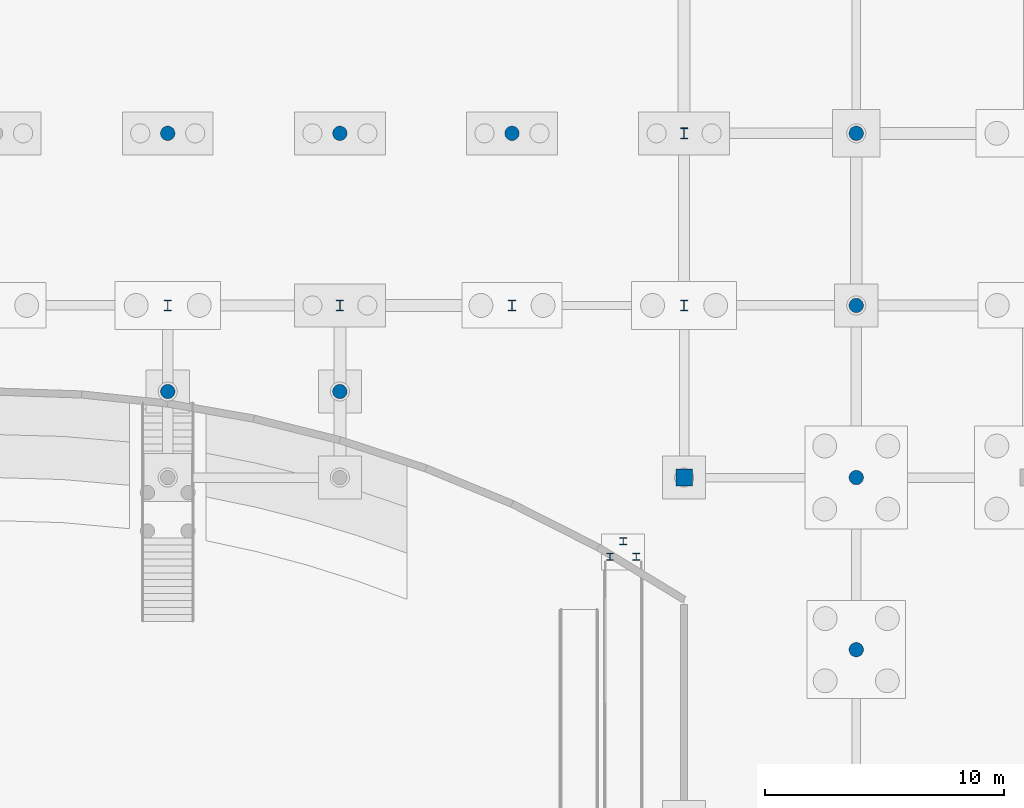
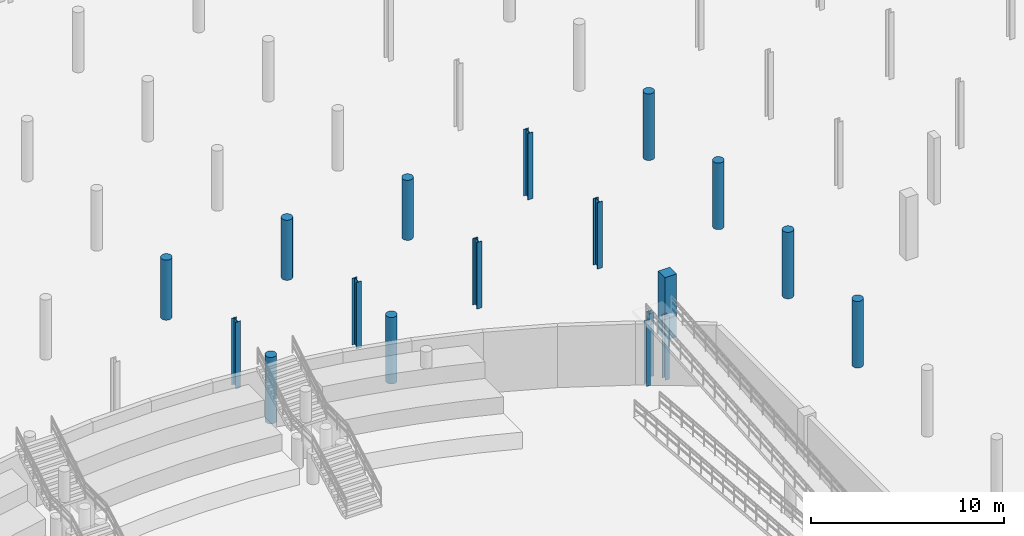
# One storey, part 24 of 56: 18 columns.
"""IFC4 building model written with IfcOpenShell, lengths in metres."""

import ifcopenshell
import ifcopenshell.guid

model = None  # the IFC model being written
_history = None  # IfcOwnerHistory: only IFC2X3 demands one
_inside = {}  # id of a spatial element -> (the spatial element, [elements in it])
_under = {}  # id of a project, library or spatial element -> (it, [spatial elements below it])
_declared = {}  # id of a project -> (the project, [libraries it declares])
_typed = {}  # id of a type object -> (the type object, [elements of that type])
_made_of = {}  # id of a material, layer set ... -> (it, [elements and type objects made of it])


def new_model(schema):
    """Start an empty IFC model of exactly this schema.

    Asked for "IFC4X3", IfcOpenShell would pick the latest addendum, in which some entities
    have other attributes; the version numbers below select the first issue.
    IFC2X3 requires an IfcOwnerHistory on every rooted entity: one is made here for all.
    """
    global model, _history
    if schema == "IFC4X3":
        model = ifcopenshell.file(schema_version=(4, 3, 0, 0))
    else:
        model = ifcopenshell.file(schema=schema)
    _inside.clear()
    _under.clear()
    _declared.clear()
    _typed.clear()
    _made_of.clear()
    _history = None
    if model.schema == "IFC2X3":
        org = make("IfcOrganization", Name="unknown")
        user = make(
            "IfcPersonAndOrganization",
            ThePerson=make("IfcPerson", FamilyName="unknown"),
            TheOrganization=org,
        )
        app = make(
            "IfcApplication",
            ApplicationDeveloper=org,
            Version="unknown",
            ApplicationFullName="unknown",
            ApplicationIdentifier="unknown",
        )
        _history = make(
            "IfcOwnerHistory",
            OwningUser=user,
            OwningApplication=app,
            ChangeAction="ADDED",
            CreationDate=0,
        )
    return model


def make(cls, **values):
    """One entity of the class cls with the attributes given. An attribute that is None is left unset."""
    return model.create_entity(
        cls, **{name: value for name, value in values.items() if value is not None}
    )


def rooted(cls, **values):
    """An entity with a GlobalId (a new one), such as an element, a storey or a relation."""
    return make(cls, GlobalId=ifcopenshell.guid.new(), OwnerHistory=_history, **values)


def si_unit(unit_type, name, prefix=None):
    """IfcSIUnit, for example si_unit("LENGTHUNIT", "METRE", prefix="MILLI")."""
    return make("IfcSIUnit", UnitType=unit_type, Prefix=prefix, Name=name)


def assignment(units):
    """IfcUnitAssignment: the units of a project."""
    return None if units is None else make("IfcUnitAssignment", Units=units)


def point(xyz):
    """IfcCartesianPoint."""
    return None if xyz is None else make("IfcCartesianPoint", Coordinates=xyz)


def direction(xyz):
    """IfcDirection."""
    return None if xyz is None else make("IfcDirection", DirectionRatios=xyz)


def frame(location, z_axis=None, x_axis=None):
    """IfcAxis2Placement3D, a coordinate frame: its origin and axes. An axis left out is left unset."""
    return make(
        "IfcAxis2Placement3D",
        Location=point(location),
        Axis=direction(z_axis),
        RefDirection=direction(x_axis),
    )


def frame_2d(location, x_axis=None):
    """IfcAxis2Placement2D, a coordinate frame in the plane: its origin and x axis."""
    return make(
        "IfcAxis2Placement2D", Location=point(location), RefDirection=direction(x_axis)
    )


def origin():
    """The frame at (0, 0, 0) with its axes left unset."""
    return frame((0.0, 0.0, 0.0))


def origin_2d():
    """The frame at (0, 0) in the plane with its x axis left unset."""
    return frame_2d((0.0, 0.0))


def place(relative_to, where):
    """IfcLocalPlacement: puts the frame where relative to a parent placement (None: the world)."""
    return make(
        "IfcLocalPlacement", PlacementRelTo=relative_to, RelativePlacement=where
    )


def context(
    kind, dimensions, precision=None, world=None, true_north=None, identifier=None
):
    """IfcGeometricRepresentationContext, for example the 3D "Model" context."""
    return make(
        "IfcGeometricRepresentationContext",
        ContextIdentifier=identifier,
        ContextType=kind,
        CoordinateSpaceDimension=dimensions,
        Precision=precision,
        WorldCoordinateSystem=world,
        TrueNorth=true_north,
    )


def subcontext(parent, identifier, kind, view, scale=None):
    """IfcGeometricRepresentationSubContext, for example "Body" below "Model"."""
    return make(
        "IfcGeometricRepresentationSubContext",
        ContextIdentifier=identifier,
        ContextType=kind,
        ParentContext=parent,
        TargetScale=scale,
        TargetView=view,
    )


def project(units=None, contexts=None):
    """IfcProject with its units and contexts."""
    return rooted(
        "IfcProject",
        Name="project",
        RepresentationContexts=contexts,
        UnitsInContext=assignment(units),
    )


def spatial(cls, under=None, at=None, **own):
    """A site, building, storey or space (cls), placed at a placement, below another one or the project."""
    s = rooted(cls, ObjectPlacement=at, **own)
    if under is not None:
        _under.setdefault(under.id(), (under, []))[1].append(s)
    return s


def profile(cls, at=None, kind="AREA", **sizes):
    """A parametric profile (cls). Its sizes go by their IFC names, for example OverallWidth=200.0."""
    return make(cls, ProfileType=kind, Position=at, **sizes)


def rectangle(**sizes):
    """IfcRectangleProfileDef."""
    return profile("IfcRectangleProfileDef", **sizes)


def circle(**sizes):
    """IfcCircleProfileDef."""
    return profile("IfcCircleProfileDef", **sizes)


def i_section(**sizes):
    """IfcIShapeProfileDef."""
    return profile("IfcIShapeProfileDef", **sizes)


def extrude(swept, where, along, depth):
    """IfcExtrudedAreaSolid: the profile swept, set in the frame where, extruded along a direction by depth."""
    return make(
        "IfcExtrudedAreaSolid",
        SweptArea=swept,
        Position=where,
        ExtrudedDirection=direction(along),
        Depth=depth,
    )


def shape(context_of_items, identifier, shape_type, items):
    """IfcShapeRepresentation: the items that make up one representation, for example the "Body"."""
    return make(
        "IfcShapeRepresentation",
        ContextOfItems=context_of_items,
        RepresentationIdentifier=identifier,
        RepresentationType=shape_type,
        Items=items,
    )


def material(Name=None, Category=None):
    """IfcMaterial."""
    return make("IfcMaterial", Name=Name, Category=Category)


def material_profile(
    of_material, cross_section, Name=None, Category=None, Priority=None
):
    """IfcMaterialProfile: a cross section and its material."""
    return make(
        "IfcMaterialProfile",
        Name=Name,
        Material=of_material,
        Profile=cross_section,
        Priority=Priority,
        Category=Category,
    )


def profile_set(profiles, Name=None, composite=None):
    """IfcMaterialProfileSet."""
    return make(
        "IfcMaterialProfileSet",
        Name=Name,
        MaterialProfiles=profiles,
        CompositeProfile=composite,
    )


def made_of(thing, what):
    """Note that an element or type object is made of a material, layer set ...; save() writes the relation."""
    if what is not None:
        _made_of.setdefault(what.id(), (what, []))[1].append(thing)
    return thing


def type_object(cls, material=None, **own):
    """A type object (cls), such as IfcWallType, which elements share."""
    return made_of(rooted(cls, **own), material)


def element(
    cls,
    number,
    at=None,
    inside=None,
    cuts=None,
    type_object=None,
    material=None,
    context=None,
    identifier="Body",
    shape_type=None,
    held_by="IfcProductDefinitionShape",
    body=None,
    shapes=None,
    **own,
):
    """One element of the class cls, such as IfcWall. Its Tag is "e" and its number.

    at: its placement. inside: the storey or other place that contains it. cuts: it is an
    opening in that element (IfcRelVoidsElement). A single representation is given by context,
    identifier, shape_type and body (its items); several are given by shapes. held_by: the class
    of the entity that holds the representations. save() writes the other relations.
    """
    e = rooted(cls, Tag="e%d" % number, ObjectPlacement=at, **own)
    if body is not None:
        shapes = [shape(context, identifier, shape_type, body)]
    if shapes is not None:
        e.Representation = make(held_by, Representations=shapes)
    if inside is not None:
        _inside.setdefault(inside.id(), (inside, []))[1].append(e)
    if cuts is not None:
        rooted(
            "IfcRelVoidsElement", RelatingBuildingElement=cuts, RelatedOpeningElement=e
        )
    if type_object is not None:
        _typed.setdefault(type_object.id(), (type_object, []))[1].append(e)
    return made_of(e, material)


def aggregate(whole, parts):
    """IfcRelAggregates: a whole, such as a stair, and the parts it consists of."""
    return rooted("IfcRelAggregates", RelatingObject=whole, RelatedObjects=parts)


def save(model, path):
    """Write the relations noted so far, then the file.

    IfcRelAggregates (storeys below a building ...), IfcRelContainedInSpatialStructure (elements
    in a storey), IfcRelDefinesByType, IfcRelAssociatesMaterial and IfcRelDeclares: one each for
    every whole, place, type object, material and project.
    """
    for whole, parts in _under.values():
        aggregate(whole, parts)
    for where, things in _inside.values():
        rooted(
            "IfcRelContainedInSpatialStructure",
            RelatedElements=things,
            RelatingStructure=where,
        )
    for kind, things in _typed.values():
        rooted("IfcRelDefinesByType", RelatedObjects=things, RelatingType=kind)
    for what, things in _made_of.values():
        rooted("IfcRelAssociatesMaterial", RelatedObjects=things, RelatingMaterial=what)
    for by, libraries in _declared.values():
        rooted("IfcRelDeclares", RelatingContext=by, RelatedDefinitions=libraries)
    model.write(path)


model = new_model("IFC4")

# Units and contexts
model_context = context("Model", 3, precision=1e-05, world=origin(), true_north=direction((0.0, 1.0)))
body_context = subcontext(model_context, "Body", "Model", "MODEL_VIEW")
ifc_project = project(units=[si_unit("LENGTHUNIT", "METRE"), si_unit("AREAUNIT", "SQUARE_METRE"), si_unit("VOLUMEUNIT", "CUBIC_METRE"), si_unit("PLANEANGLEUNIT", "RADIAN"), si_unit("MASSUNIT", "GRAM", prefix="KILO")], contexts=[model_context])

# Site, building, storey
site_placement = place(None, origin())
site = spatial("IfcSite", under=ifc_project, at=site_placement, CompositionType="ELEMENT")
building_placement = place(site_placement, origin())
building = spatial("IfcBuilding", under=site, at=building_placement, Name="Suanplinth Sawtooth Commons", CompositionType="ELEMENT")
storey_placement = place(building_placement, frame((0.0, 0.0, -4.199951171875)))
storey = spatial("IfcBuildingStorey", under=building, at=storey_placement, Name="B1", CompositionType="ELEMENT", Elevation=-4.199951171875)

# Columns
ifc_material_1 = material(Name="Concrete C40/50", Category="concrete")
ifc_material_profile_1 = material_profile(ifc_material_1, rectangle(XDim=0.699951171875, YDim=0.699951171875, at=origin_2d()), Name="RC-COL 700x700")
ifc_profile_set_1 = profile_set([ifc_material_profile_1], Name="Concrete C40/50")
column_type_1 = type_object("IfcColumnType", Name="C-02", PredefinedType="COLUMN", material=ifc_profile_set_1)
column_placement = place(storey_placement, frame((115.199951171875, 43.199951171875, 0.0), z_axis=(0.0, 0.0, 1.0), x_axis=(1.0, 0.0, 0.0)))
element("IfcColumn", 1, at=column_placement, inside=storey, type_object=column_type_1, Name="Column B1 17/G", PredefinedType="COLUMN", context=body_context, shape_type="SweptSolid", body=[
    extrude(rectangle(XDim=0.699951171875, YDim=0.699951171875, at=origin_2d()), origin(), (0.0, 0.0, 1.0), 3.97998046875),
])
ifc_material_profile_2 = material_profile(ifc_material_1, circle(Radius=0.300048828125, at=origin_2d()), Name="RC-CIRC D600")
ifc_profile_set_2 = profile_set([ifc_material_profile_2], Name="Concrete C40/50")
column_type_2 = type_object("IfcColumnType", Name="C-08", PredefinedType="COLUMN", material=ifc_profile_set_2)
for number, where, z_axis, x_axis, name in (
    (2, (122.39990234375, 36.0, 0.0), (0.0, 0.0, 1.0), (1.0, 0.0, 0.0), "Column B1 18/F"),
    (3, (122.39990234375, 43.199951171875, 0.0), (0.0, 0.0, 1.0), (1.0, 0.0, 0.0), "Column B1 18/G"),
    (4, (122.39990234375, 50.39990234375, 0.0), (0.0, 0.0, 1.0), (1.0, 0.0, 0.0), "Column B1 18/H"),
    (5, (122.39990234375, 57.60009765625, 0.0), (0.0, 0.0, 1.0), (1.0, 0.0, 0.0), "Column B1 18/J"),
):
    element("IfcColumn", number, at=place(storey_placement, frame(where, z_axis=z_axis, x_axis=x_axis)), inside=storey, type_object=column_type_2, Name=name, PredefinedType="COLUMN", context=body_context, shape_type="SweptSolid", body=[
        extrude(circle(Radius=0.300048828125, at=origin_2d()), origin(), (0.0, 0.0, 1.0), 4.199951171875),
    ])
for number, where, z_axis, x_axis, name in (
    (6, (93.60009765625, 57.60009765625, 0.0), (0.0, 0.0, 1.0), (1.0, 0.0, 0.0), "Substructure Column B1 14/J"),
    (7, (100.800048828125, 57.60009765625, 0.0), (0.0, 0.0, 1.0), (1.0, 0.0, 0.0), "Substructure Column B1 15/J"),
    (8, (108.0, 57.60009765625, 0.0), (0.0, 0.0, 1.0), (1.0, 0.0, 0.0), "Substructure Column B1 16/J"),
):
    element("IfcColumn", number, at=place(storey_placement, frame(where, z_axis=z_axis, x_axis=x_axis)), inside=storey, type_object=column_type_2, Name=name, PredefinedType="COLUMN", context=body_context, shape_type="SweptSolid", body=[
        extrude(circle(Radius=0.300048828125, at=origin_2d()), origin(), (0.0, 0.0, 1.0), 3.7900390625),
    ])
for number, where, z_axis, x_axis, name in (
    (9, (93.60009765625, 46.800048828125, 0.0), (0.0, 0.0, 1.0), (1.0, 0.0, 0.0), "Metro Ridge B1 Pier 14"),
    (10, (100.800048828125, 46.800048828125, 0.0), (0.0, 0.0, 1.0), (1.0, 0.0, 0.0), "Metro Ridge B1 Pier 15"),
):
    element("IfcColumn", number, at=place(storey_placement, frame(where, z_axis=z_axis, x_axis=x_axis)), inside=storey, type_object=column_type_2, Name=name, PredefinedType="COLUMN", context=body_context, shape_type="SweptSolid", body=[
        extrude(circle(Radius=0.300048828125, at=origin_2d()), origin(), (0.0, 0.0, 1.0), 4.199951171875),
    ])
ifc_material_2 = material(Name="Steel S355JR", Category="steel")
ifc_material_profile_3 = material_profile(ifc_material_2, i_section(OverallWidth=0.300048828125, OverallDepth=0.449951171875, WebThickness=0.013916015625, FlangeThickness=0.02587890625, at=origin_2d()), Name="HEB 450")
ifc_profile_set_3 = profile_set([ifc_material_profile_3], Name="Steel S355JR")
column_type_3 = type_object("IfcColumnType", Name="C-09", PredefinedType="COLUMN", material=ifc_profile_set_3)
for number, where, z_axis, x_axis, name in (
    (11, (93.60009765625, 50.39990234375, 0.0), (0.0, 0.0, 1.0), (1.0, 0.0, 0.0), "Column B1 14/H"),
    (12, (100.800048828125, 50.39990234375, 0.0), (0.0, 0.0, 1.0), (1.0, 0.0, 0.0), "Column B1 15/H"),
    (13, (108.0, 50.39990234375, 0.0), (0.0, 0.0, 1.0), (1.0, 0.0, 0.0), "Column B1 16/H"),
    (14, (115.199951171875, 50.39990234375, 0.0), (0.0, 0.0, 1.0), (1.0, 0.0, 0.0), "Column B1 17/H"),
    (15, (115.199951171875, 57.60009765625, 0.0), (0.0, 0.0, 1.0), (1.0, 0.0, 0.0), "Column B1 17/J"),
):
    element("IfcColumn", number, at=place(storey_placement, frame(where, z_axis=z_axis, x_axis=x_axis)), inside=storey, type_object=column_type_3, Name=name, PredefinedType="COLUMN", context=body_context, shape_type="SweptSolid", body=[
        extrude(i_section(OverallWidth=0.300048828125, OverallDepth=0.449951171875, WebThickness=0.013916015625, FlangeThickness=0.02587890625, at=origin_2d()), origin(), (0.0, 0.0, 1.0), 4.199951171875),
    ])
ifc_material_profile_4 = material_profile(ifc_material_2, i_section(OverallWidth=0.280029296875, OverallDepth=0.280029296875, WebThickness=0.010498046875, FlangeThickness=0.01806640625, at=origin_2d()), Name="HEB 280")
ifc_profile_set_4 = profile_set([ifc_material_profile_4], Name="Steel S355JR")
column_type_4 = type_object("IfcColumnType", Name="C-11", PredefinedType="COLUMN", material=ifc_profile_set_4)
for number, where, z_axis, x_axis, name in (
    (16, (112.10009765625, 39.88818359375, 0.0), (0.0, 0.0, 1.0), (1.0, 0.0, 0.0), "RMP-AR-02 Arrival Landing Pier 1"),
    (17, (113.199951171875, 39.88818359375, 0.0), (0.0, 0.0, 1.0), (1.0, 0.0, 0.0), "RMP-AR-02 Arrival Landing Pier 2"),
    (18, (112.64990234375, 40.5380859375, 0.0), (0.0, 0.0, 1.0), (1.0, 0.0, 0.0), "RMP-AR-02 Arrival Landing Pier 3"),
):
    element("IfcColumn", number, at=place(storey_placement, frame(where, z_axis=z_axis, x_axis=x_axis)), inside=storey, type_object=column_type_4, Name=name, PredefinedType="COLUMN", context=body_context, shape_type="SweptSolid", body=[
        extrude(i_section(OverallWidth=0.280029296875, OverallDepth=0.280029296875, WebThickness=0.010498046875, FlangeThickness=0.01806640625, at=origin_2d()), origin(), (0.0, 0.0, 1.0), 4.010009765625),
    ])

save(model, "model.ifc")
